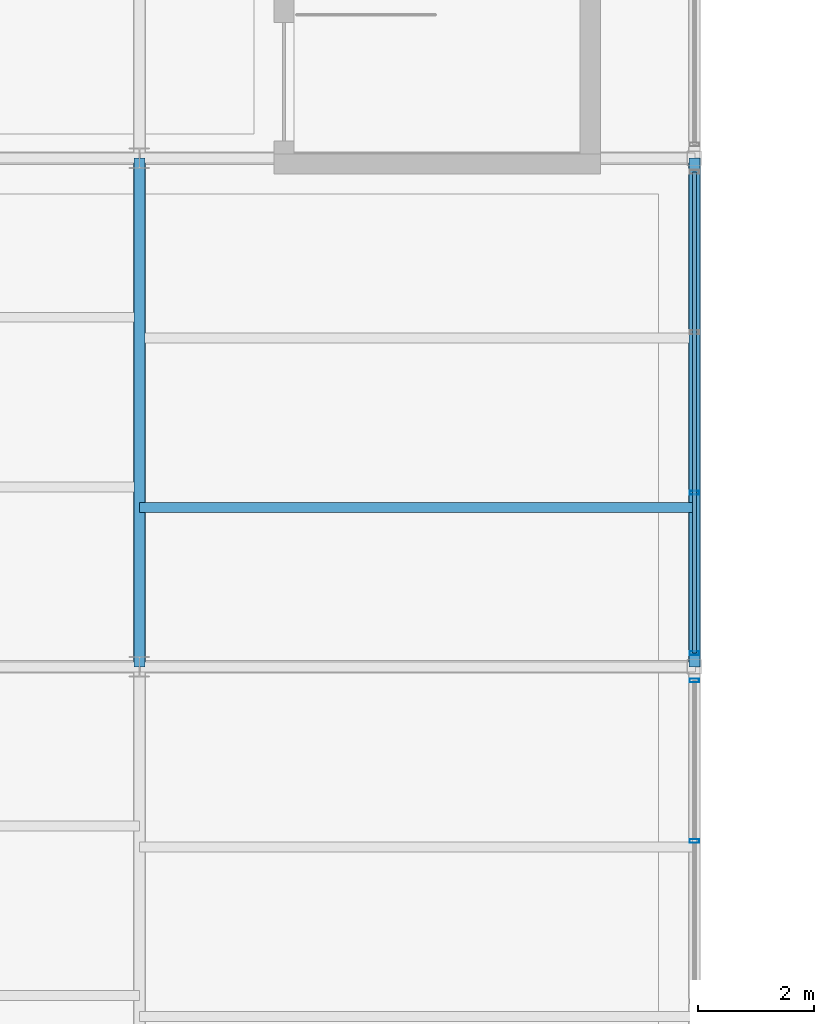
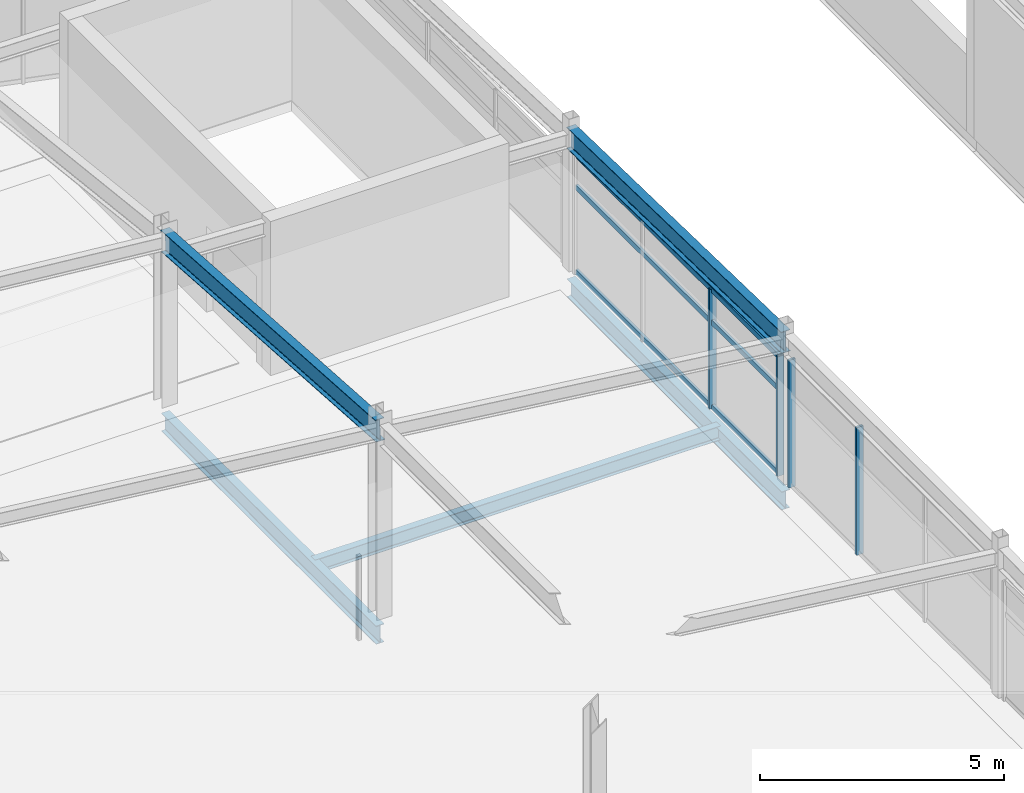
# One storey, part 26 of 114: 7 members, 5 beams, 2 elements without a shape of their own.
"""IFC4 building model written with IfcOpenShell, lengths in metres."""

from ifc_helpers import new_model, si_unit, direction, frame, origin, origin_2d, place, context, subcontext, project, spatial, hollow_rectangle, i_section, extrude, material, layer, layer_set, material_profile, profile_set, type_object, element, aggregate, save


model = new_model("IFC4")

# Units and contexts
model_context = context("Model", 3, precision=1e-05, world=origin(), true_north=direction((0.0, 1.0)))
body_context = subcontext(model_context, "Body", "Model", "MODEL_VIEW")
ifc_project = project(units=[si_unit("LENGTHUNIT", "METRE"), si_unit("AREAUNIT", "SQUARE_METRE"), si_unit("VOLUMEUNIT", "CUBIC_METRE"), si_unit("PLANEANGLEUNIT", "RADIAN"), si_unit("MASSUNIT", "GRAM", prefix="KILO")], contexts=[model_context])

# Site, building, storey
site_placement = place(None, origin())
site = spatial("IfcSite", under=ifc_project, at=site_placement, CompositionType="ELEMENT")
building_placement = place(site_placement, origin())
building = spatial("IfcBuilding", under=site, at=building_placement, Name="Chalmorin Arch Market", CompositionType="ELEMENT")
storey_placement = place(building_placement, frame((0.0, 0.0, 9.60009765625)))
storey = spatial("IfcBuildingStorey", under=building, at=storey_placement, Name="L02", CompositionType="ELEMENT", Elevation=9.60009765625)

# Curtain wall, members
ifc_material_1 = material(Name="Aluminium 6063-T6", Category="aluminium")
ifc_layer_1 = layer(ifc_material_1, 0.159912109375)
ifc_layer_set_1 = layer_set([ifc_layer_1], Name="Aluminium 6063-T6")
curtain_wall_type_1 = type_object("IfcCurtainWallType", Name="RiverfrontStorefrontCurtainWall-CW2-8330x3190", PredefinedType="NOTDEFINED", material=ifc_layer_set_1)
curtain_wall_1_placement = place(storey_placement, origin())
curtain_wall_1 = element("IfcCurtainWall", 1, at=curtain_wall_1_placement, inside=storey, type_object=curtain_wall_type_1, Name="CW-02-102", PredefinedType="NOTDEFINED")
ifc_material_profile_1 = material_profile(ifc_material_1, hollow_rectangle(XDim=0.06494140625, YDim=0.159912109375, WallThickness=0.00390625, at=origin_2d()), Name="ALU65X160X4")
ifc_profile_set_1 = profile_set([ifc_material_profile_1], Name="Aluminium 6063-T6")
member_type_1 = type_object("IfcMemberType", Name="CurtainWallMullion-65x160", PredefinedType="MULLION", material=ifc_profile_set_1)
member_1_placement = place(storey_placement, frame((38.39990234375, 29.3876953125, 0.0), z_axis=(0.0, 0.0, 1.0), x_axis=(0.0, 1.0, 0.0)))
member_1 = element("IfcMember", 2, at=member_1_placement, type_object=member_type_1, Name="ML-102-03", PredefinedType="MULLION", context=body_context, shape_type="SweptSolid", body=[
    extrude(hollow_rectangle(XDim=0.06494140625, YDim=0.159912109375, WallThickness=0.00390625, at=origin_2d()), origin(), (0.0, 0.0, 1.0), 3.19140625),
])
member_2_placement = place(storey_placement, frame((38.39990234375, 32.1630859375, 0.0), z_axis=(0.0, 0.0, 1.0), x_axis=(0.0, 1.0, 0.0)))
member_2 = element("IfcMember", 3, at=member_2_placement, type_object=member_type_1, Name="ML-102-04", PredefinedType="MULLION", context=body_context, shape_type="SweptSolid", body=[
    extrude(hollow_rectangle(XDim=0.06494140625, YDim=0.159912109375, WallThickness=0.00390625, at=origin_2d()), origin(), (0.0, 0.0, 1.0), 3.19140625),
])
aggregate(curtain_wall_1, [member_1, member_2])

ifc_layer_2 = layer(ifc_material_1, 0.159912109375)
ifc_layer_set_2 = layer_set([ifc_layer_2], Name="Aluminium 6063-T6")
curtain_wall_type_2 = type_object("IfcCurtainWallType", Name="RiverfrontStorefrontCurtainWall-CW2-8330x2990", PredefinedType="NOTDEFINED", material=ifc_layer_set_2)
curtain_wall_2_placement = place(storey_placement, origin())
curtain_wall_2 = element("IfcCurtainWall", 4, at=curtain_wall_2_placement, inside=storey, type_object=curtain_wall_type_2, Name="CW-02-104", PredefinedType="NOTDEFINED")
member_3_placement = place(storey_placement, frame((38.39990234375, 32.636962890625, 0.0), z_axis=(0.0, 0.0, 1.0), x_axis=(0.0, 1.0, 0.0)))
member_3 = element("IfcMember", 5, at=member_3_placement, type_object=member_type_1, Name="ML-104-01", PredefinedType="MULLION", context=body_context, shape_type="SweptSolid", body=[
    extrude(hollow_rectangle(XDim=0.06494140625, YDim=0.159912109375, WallThickness=0.00390625, at=origin_2d()), origin(), (0.0, 0.0, 1.0), 2.993408203125),
])
member_4_placement = place(storey_placement, frame((38.39990234375, 35.412353515625, 0.0), z_axis=(0.0, 0.0, 1.0), x_axis=(0.0, 1.0, 0.0)))
member_4 = element("IfcMember", 6, at=member_4_placement, type_object=member_type_1, Name="ML-104-02", PredefinedType="MULLION", context=body_context, shape_type="SweptSolid", body=[
    extrude(hollow_rectangle(XDim=0.06494140625, YDim=0.159912109375, WallThickness=0.00390625, at=origin_2d()), origin(), (0.0, 0.0, 1.0), 2.993408203125),
])
ifc_material_profile_2 = material_profile(ifc_material_1, hollow_rectangle(XDim=0.06494140625, YDim=0.1298828125, WallThickness=0.00390625, at=origin_2d()), Name="ALU65X130X4")
ifc_profile_set_2 = profile_set([ifc_material_profile_2], Name="Aluminium 6063-T6")
member_type_2 = type_object("IfcMemberType", Name="CurtainWallTransom-65x130", PredefinedType="USERDEFINED", material=ifc_profile_set_2)
member_5_placement = place(storey_placement, frame((38.39990234375, 32.636962890625, 0.034912109375), z_axis=(0.0, 1.0, 0.0), x_axis=(-1.0, 0.0, 0.0)))
member_5 = element("IfcMember", 7, at=member_5_placement, type_object=member_type_2, Name="TR-104-01", ObjectType="TRANSOM", PredefinedType="USERDEFINED", context=body_context, shape_type="SweptSolid", body=[
    extrude(hollow_rectangle(XDim=0.06494140625, YDim=0.1298828125, WallThickness=0.00390625, at=origin_2d()), origin(), (0.0, 0.0, 1.0), 8.325927734375),
])
member_6_placement = place(storey_placement, frame((38.39990234375, 32.636962890625, 2.1552734375), z_axis=(0.0, 1.0, 0.0), x_axis=(-1.0, 0.0, 0.0)))
member_6 = element("IfcMember", 8, at=member_6_placement, type_object=member_type_2, Name="TR-104-02", ObjectType="TRANSOM", PredefinedType="USERDEFINED", context=body_context, shape_type="SweptSolid", body=[
    extrude(hollow_rectangle(XDim=0.06494140625, YDim=0.1298828125, WallThickness=0.00390625, at=origin_2d()), origin(), (0.0, 0.0, 1.0), 8.325927734375),
])
member_7_placement = place(storey_placement, frame((38.39990234375, 32.636962890625, 2.95849609375), z_axis=(0.0, 1.0, 0.0), x_axis=(-1.0, 0.0, 0.0)))
member_7 = element("IfcMember", 9, at=member_7_placement, type_object=member_type_2, Name="TR-104-03", ObjectType="TRANSOM", PredefinedType="USERDEFINED", context=body_context, shape_type="SweptSolid", body=[
    extrude(hollow_rectangle(XDim=0.06494140625, YDim=0.1298828125, WallThickness=0.00390625, at=origin_2d()), origin(), (0.0, 0.0, 1.0), 8.325927734375),
])
aggregate(curtain_wall_2, [member_3, member_4, member_5, member_6, member_7])

# Beams
ifc_material_2 = material(Name="Steel A992 Grade 50", Category="steel")
ifc_material_profile_3 = material_profile(ifc_material_2, i_section(OverallWidth=0.19091796875, OverallDepth=0.45703125, WebThickness=0.009033203125, FlangeThickness=0.014404296875, FilletRadius=0.02001953125, at=origin_2d()), Name="W18X50")
ifc_profile_set_3 = profile_set([ifc_material_profile_3], Name="Steel A992 Grade 50")
beam_type_1 = type_object("IfcBeamType", Name="FloorSteelBeam-W18X50", PredefinedType="BEAM", material=ifc_profile_set_3)
beam_1_placement = place(storey_placement, frame((28.800048828125, 32.39990234375, -0.480712890625), z_axis=(0.0, 1.0, 0.0), x_axis=(-1.0, 0.0, 0.0)))
element("IfcBeam", 10, at=beam_1_placement, inside=storey, type_object=beam_type_1, Name="BM-W18B-1169", PredefinedType="BEAM", context=body_context, shape_type="SweptSolid", body=[
    extrude(i_section(OverallWidth=0.19091796875, OverallDepth=0.45703125, WebThickness=0.009033203125, FlangeThickness=0.014404296875, FilletRadius=0.02001953125, at=origin_2d()), origin(), (0.0, 0.0, 1.0), 8.800048828125),
])
ifc_material_profile_4 = material_profile(ifc_material_2, i_section(OverallWidth=0.19091796875, OverallDepth=0.45703125, WebThickness=0.009033203125, FlangeThickness=0.014404296875, FilletRadius=0.02001953125, at=origin_2d()), Name="W18X50")
ifc_profile_set_4 = profile_set([ifc_material_profile_4], Name="Steel A992 Grade 50")
beam_type_2 = type_object("IfcBeamType", Name="PerimeterSpandrelBeam-W18X50", PredefinedType="SPANDREL", material=ifc_profile_set_4)
beam_2_placement = place(storey_placement, frame((38.39990234375, 32.39990234375, -0.480712890625), z_axis=(0.0, 1.0, 0.0), x_axis=(-1.0, 0.0, 0.0)))
element("IfcBeam", 11, at=beam_2_placement, inside=storey, type_object=beam_type_2, Name="SP-W18-1180", PredefinedType="SPANDREL", context=body_context, shape_type="SweptSolid", body=[
    extrude(i_section(OverallWidth=0.19091796875, OverallDepth=0.45703125, WebThickness=0.009033203125, FlangeThickness=0.014404296875, FilletRadius=0.02001953125, at=origin_2d()), origin(), (0.0, 0.0, 1.0), 8.800048828125),
])
ifc_material_profile_5 = material_profile(ifc_material_2, i_section(OverallWidth=0.208984375, OverallDepth=0.532958984375, WebThickness=0.01025390625, FlangeThickness=0.015625, FilletRadius=0.02197265625, at=origin_2d()), Name="W21X62")
ifc_profile_set_5 = profile_set([ifc_material_profile_5], Name="Steel A992 Grade 50")
beam_type_3 = type_object("IfcBeamType", Name="PrimarySteelGirder-W21X62", PredefinedType="BEAM", material=ifc_profile_set_5)
beam_3_placement = place(storey_placement, frame((28.800048828125, 32.39990234375, 4.626953125), z_axis=(0.0, 0.99787247786, -0.065195996265), x_axis=(-1.0, 0.0, 0.0)))
element("IfcBeam", 12, at=beam_3_placement, inside=storey, type_object=beam_type_3, Name="BG-W21B-1539", PredefinedType="BEAM", context=body_context, shape_type="SweptSolid", body=[
    extrude(i_section(OverallWidth=0.208984375, OverallDepth=0.532958984375, WebThickness=0.01025390625, FlangeThickness=0.015625, FilletRadius=0.02197265625, at=origin_2d()), origin(), (0.0, 0.0, 1.0), 8.81884765625),
])
beam_4_placement = place(storey_placement, frame((38.39990234375, 32.39990234375, 3.475830078125), z_axis=(0.0, 0.999739438738, -0.022826621115), x_axis=(-1.0, 0.0, 0.0)))
element("IfcBeam", 13, at=beam_4_placement, inside=storey, type_object=beam_type_3, Name="BG-W21B-1543", PredefinedType="BEAM", context=body_context, shape_type="SweptSolid", body=[
    extrude(i_section(OverallWidth=0.208984375, OverallDepth=0.532958984375, WebThickness=0.01025390625, FlangeThickness=0.015625, FilletRadius=0.02197265625, at=origin_2d()), origin(), (0.0, 0.0, 1.0), 8.80224609375),
])
ifc_material_profile_6 = material_profile(ifc_material_2, i_section(OverallWidth=0.1708984375, OverallDepth=0.35107421875, WebThickness=0.0068359375, FlangeThickness=0.009765625, FilletRadius=0.014892578125, at=origin_2d()), Name="W14X30")
ifc_profile_set_6 = profile_set([ifc_material_profile_6], Name="Steel A992 Grade 50")
beam_type_4 = type_object("IfcBeamType", Name="SecondaryFloorJoist-W14X30", PredefinedType="JOIST", material=ifc_profile_set_6)
beam_5_placement = place(storey_placement, frame((28.800048828125, 35.1533203125, -0.427490234375), z_axis=(1.0, 0.0, 0.0), x_axis=(0.0, 1.0, 0.0)))
element("IfcBeam", 14, at=beam_5_placement, inside=storey, type_object=beam_type_4, Name="BJ-W14-1217", PredefinedType="JOIST", context=body_context, shape_type="SweptSolid", body=[
    extrude(i_section(OverallWidth=0.1708984375, OverallDepth=0.35107421875, WebThickness=0.0068359375, FlangeThickness=0.009765625, FilletRadius=0.014892578125, at=origin_2d()), origin(), (0.0, 0.0, 1.0), 9.599853515625),
])

save(model, "model.ifc")
